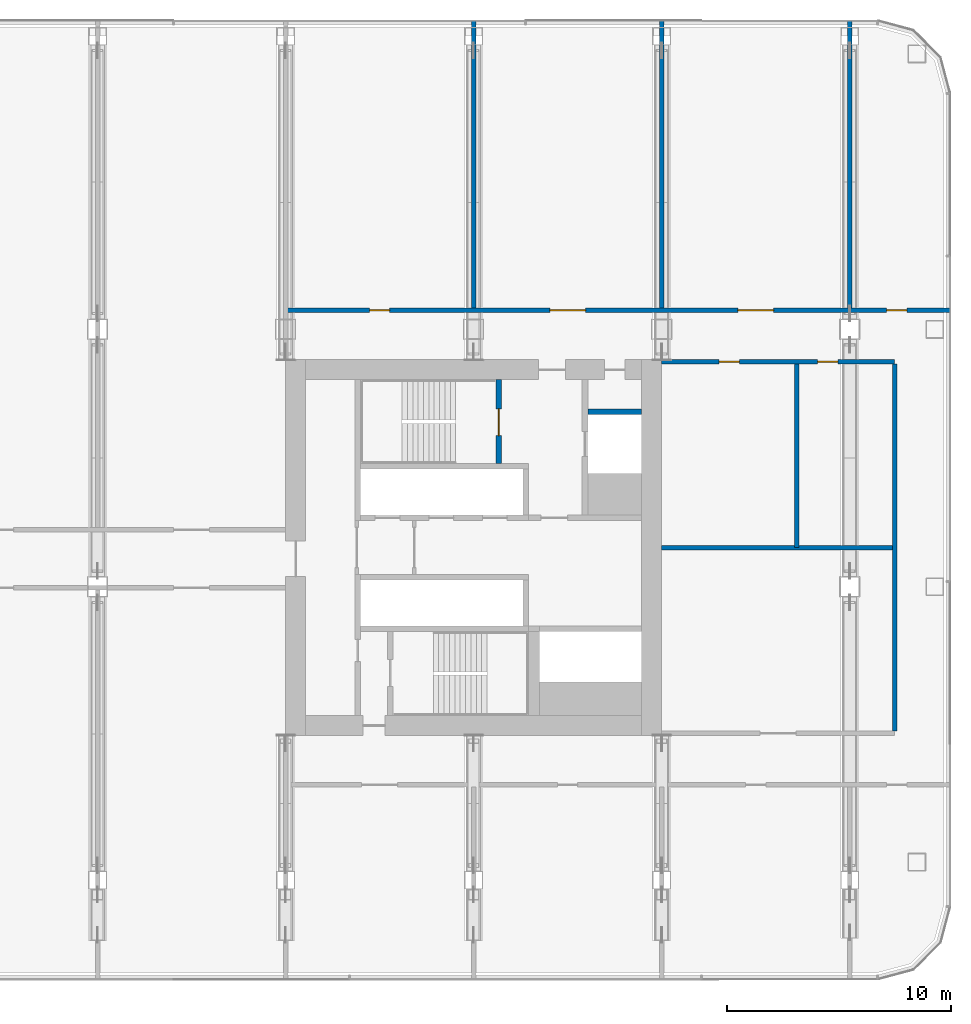
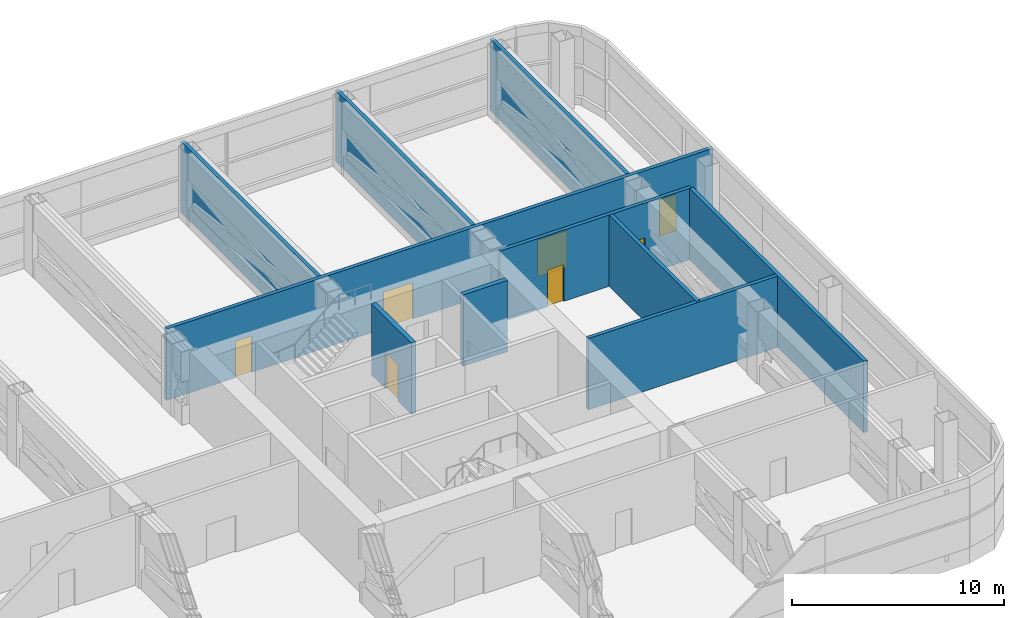
# One storey, part 21 of 31: 10 walls, 7 doors, 7 openings.
"""IFC4 building model written with IfcOpenShell, lengths in metres."""

from ifc_helpers import new_model, si_unit, direction, frame, frame_2d, origin, place, context, subcontext, project, spatial, rectangle, extrude, material, layer, layer_set, type_object, element, fill, save


model = new_model("IFC4")

# Units and contexts
model_context = context("Model", 3, precision=1e-05, world=origin(), true_north=direction((0.0, 1.0)))
body_context = subcontext(model_context, "Body", "Model", "MODEL_VIEW")
ifc_project = project(units=[si_unit("LENGTHUNIT", "METRE"), si_unit("AREAUNIT", "SQUARE_METRE"), si_unit("VOLUMEUNIT", "CUBIC_METRE"), si_unit("PLANEANGLEUNIT", "RADIAN"), si_unit("MASSUNIT", "GRAM", prefix="KILO")], contexts=[model_context])

# Site, building, storey
site_placement = place(None, origin())
site = spatial("IfcSite", under=ifc_project, at=site_placement, CompositionType="ELEMENT")
building_placement = place(site_placement, origin())
building = spatial("IfcBuilding", under=site, at=building_placement, Name="Hakoniwa Tower and Hamabe Station Hall", CompositionType="ELEMENT")
storey_placement = place(building_placement, frame((0.0, 0.0, 120.199951171875)))
storey = spatial("IfcBuildingStorey", under=building, at=storey_placement, Name="L34", CompositionType="ELEMENT", Elevation=120.199951171875)

# Wall, opening, door
ifc_material_1 = material(Name="Concrete C72", Category="concrete")
ifc_layer_1 = layer(ifc_material_1, 0.25)
ifc_layer_set_1 = layer_set([ifc_layer_1], Name="CORE WEB WALL 250 C72")
wall_type_1 = type_object("IfcWallType", Name="CORE WEB WALL 250 C72", PredefinedType="SHEAR", material=ifc_layer_set_1)
wall_1_placement = place(storey_placement, frame((26.324951171875, 3.75, 0.0), z_axis=(0.0, 0.0, 1.0), x_axis=(0.0, 1.0, 0.0)))
wall_1 = element("IfcWall", 1, at=wall_1_placement, inside=storey, type_object=wall_type_1, Name="Core wall NSE east", PredefinedType="SHEAR", context=body_context, shape_type="SweptSolid", body=[
    extrude(rectangle(XDim=3.75, YDim=0.25, at=frame_2d((1.875, 0.0))), origin(), (0.0, 0.0, 1.0), 4.10009765625),
])
opening_1_placement = place(wall_1_placement, frame((1.25, 0.0, 0.0)))
opening_1 = element("IfcOpeningElement", 2, at=opening_1_placement, cuts=wall_1, Name="Opening CD-E-SN-12", PredefinedType="OPENING", context=body_context, shape_type="SweptSolid", body=[
    extrude(rectangle(XDim=1.199951171875, YDim=2.10009765625, at=frame_2d((0.60009765625, 1.050048828125))), frame((0.0, 0.135009765625, 0.0), z_axis=(0.0, -1.0, 0.0), x_axis=(1.0, 0.0, 0.0)), (0.0, 0.0, 1.0), 0.27001953125),
])
ifc_material_2 = material(Name="Steel fire door", Category="steel")
door_type_1 = type_object("IfcDoorType", Name="CORE DOOR 1200 FD60", OperationType="DOUBLE_DOOR_SINGLE_SWING", PredefinedType="DOOR", material=ifc_material_2)
door_1_placement = place(opening_1_placement, origin())
door_1 = element("IfcDoor", 3, at=door_1_placement, inside=storey, type_object=door_type_1, Name="Escape stair door", OperationType="DOUBLE_DOOR_SINGLE_SWING", OverallHeight=2.10009765625, OverallWidth=1.199951171875, PredefinedType="DOOR", context=body_context, shape_type="SweptSolid", body=[
    extrude(rectangle(XDim=1.199951171875, YDim=2.10009765625, at=frame_2d((0.60009765625, 1.050048828125))), frame((0.0, 0.02490234375, 0.0), z_axis=(0.0, -1.0, 0.0), x_axis=(1.0, 0.0, 0.0)), (0.0, 0.0, 1.0), 0.050048828125),
])
fill(opening_1, door_1)

# Wall
wall_2_placement = place(storey_placement, frame((30.300048828125, 6.074951171875, 0.0), z_axis=(0.0, 0.0, 1.0), x_axis=(1.0, 0.0, 0.0)))
element("IfcWall", 4, at=wall_2_placement, inside=storey, type_object=wall_type_1, Name="Core wall C2 east", PredefinedType="SHEAR", context=body_context, shape_type="SweptSolid", body=[
    extrude(rectangle(XDim=2.39990234375, YDim=0.25, at=frame_2d((1.199951171875, 0.0))), origin(), (0.0, 0.0, 1.0), 4.10009765625),
])

# Wall, openings, doors
ifc_material_3 = material(Name="Fire-rated gypsum board partition", Category="gypsum")
ifc_layer_2 = layer(ifc_material_3, 0.199951171875)
ifc_layer_set_2 = layer_set([ifc_layer_2], Name="Corridor Wall 200")
wall_type_2 = type_object("IfcWallType", Name="Corridor Wall 200", PredefinedType="PARTITIONING", material=ifc_layer_set_2)
wall_3_placement = place(storey_placement, frame((33.60009765625, 8.300048828125, 0.0), z_axis=(0.0, 0.0, 1.0), x_axis=(1.0, 0.0, 0.0)))
wall_3 = element("IfcWall", 5, at=wall_3_placement, inside=storey, type_object=wall_type_2, Name="GW-L34-010", PredefinedType="PARTITIONING", context=body_context, shape_type="SweptSolid", body=[
    extrude(rectangle(XDim=10.39990234375, YDim=0.199951171875, at=frame_2d((5.199951171875, 0.0))), origin(), (0.0, 0.0, 1.0), 4.10009765625),
])
opening_2_placement = place(wall_3_placement, frame((2.56494140625, 0.0, 0.0)))
opening_2 = element("IfcOpeningElement", 6, at=opening_2_placement, cuts=wall_3, Name="Opening GD-SL34-20", PredefinedType="OPENING", context=body_context, shape_type="SweptSolid", body=[
    extrude(rectangle(XDim=0.89990234375, YDim=2.10009765625, at=frame_2d((0.449951171875, 1.050048828125))), frame((0.0, 0.10986328125, 0.0), z_axis=(0.0, -1.0, 0.0), x_axis=(1.0, 0.0, 0.0)), (0.0, 0.0, 1.0), 0.219970703125),
])
opening_3_placement = place(wall_3_placement, frame((6.965087890625, 0.0, 0.0)))
opening_3 = element("IfcOpeningElement", 7, at=opening_3_placement, cuts=wall_3, Name="Opening GD-SL34-21", PredefinedType="OPENING", context=body_context, shape_type="SweptSolid", body=[
    extrude(rectangle(XDim=0.89990234375, YDim=2.10009765625, at=frame_2d((0.449951171875, 1.050048828125))), frame((0.0, 0.10986328125, 0.0), z_axis=(0.0, -1.0, 0.0), x_axis=(1.0, 0.0, 0.0)), (0.0, 0.0, 1.0), 0.219970703125),
])
ifc_material_4 = material(Name="Timber door leaf", Category="wood")
door_type_2 = type_object("IfcDoorType", Name="Service Door 900", OperationType="SINGLE_SWING_LEFT", PredefinedType="DOOR", material=ifc_material_4)
door_2_placement = place(opening_2_placement, origin())
door_2 = element("IfcDoor", 8, at=door_2_placement, inside=storey, type_object=door_type_2, Name="Door GD-SL34-20", OperationType="SINGLE_SWING_RIGHT", OverallHeight=2.10009765625, OverallWidth=0.89990234375, PredefinedType="DOOR", context=body_context, shape_type="SweptSolid", body=[
    extrude(rectangle(XDim=0.89990234375, YDim=2.10009765625, at=frame_2d((0.449951171875, 1.050048828125))), frame((0.0, 0.02490234375, 0.0), z_axis=(0.0, -1.0, 0.0), x_axis=(1.0, 0.0, 0.0)), (0.0, 0.0, 1.0), 0.050048828125),
])
fill(opening_2, door_2)
door_3_placement = place(opening_3_placement, origin())
door_3 = element("IfcDoor", 9, at=door_3_placement, inside=storey, type_object=door_type_2, Name="Door GD-SL34-21", OperationType="SINGLE_SWING_LEFT", OverallHeight=2.10009765625, OverallWidth=0.89990234375, PredefinedType="DOOR", context=body_context, shape_type="SweptSolid", body=[
    extrude(rectangle(XDim=0.89990234375, YDim=2.10009765625, at=frame_2d((0.449951171875, 1.050048828125))), frame((0.0, 0.02490234375, 0.0), z_axis=(0.0, -1.0, 0.0), x_axis=(1.0, 0.0, 0.0)), (0.0, 0.0, 1.0), 0.050048828125),
])
fill(opening_3, door_3)

wall_4_placement = place(storey_placement, frame((16.800048828125, 10.60009765625, 0.0), z_axis=(0.0, 0.0, 1.0), x_axis=(1.0, 0.0, 0.0)))
wall_4 = element("IfcWall", 10, at=wall_4_placement, inside=storey, type_object=wall_type_2, Name="GW-L34-012", PredefinedType="PARTITIONING", context=body_context, shape_type="SweptSolid", body=[
    extrude(rectangle(XDim=29.699951171875, YDim=0.199951171875, at=frame_2d((14.85009765625, 0.0))), origin(), (0.0, 0.0, 1.0), 4.10009765625),
])
opening_4_placement = place(wall_4_placement, frame((3.75, 0.0, 0.0)))
opening_4 = element("IfcOpeningElement", 11, at=opening_4_placement, cuts=wall_4, Name="Opening GD-SL34-26", PredefinedType="OPENING", context=body_context, shape_type="SweptSolid", body=[
    extrude(rectangle(XDim=0.89990234375, YDim=2.10009765625, at=frame_2d((0.449951171875, 1.050048828125))), frame((0.0, 0.10986328125, 0.0), z_axis=(0.0, -1.0, 0.0), x_axis=(1.0, 0.0, 0.0)), (0.0, 0.0, 1.0), 0.219970703125),
])
opening_5_placement = place(wall_4_placement, frame((11.800048828125, 0.0, 0.0)))
opening_5 = element("IfcOpeningElement", 12, at=opening_5_placement, cuts=wall_4, Name="Opening GD-SL34-27", PredefinedType="OPENING", context=body_context, shape_type="SweptSolid", body=[
    extrude(rectangle(XDim=1.60009765625, YDim=2.10009765625, at=frame_2d((0.800048828125, 1.050048828125))), frame((0.0, 0.10986328125, 0.0), z_axis=(0.0, -1.0, 0.0), x_axis=(1.0, 0.0, 0.0)), (0.0, 0.0, 1.0), 0.219970703125),
])
opening_6_placement = place(wall_4_placement, frame((20.199951171875, 0.0, 0.0)))
opening_6 = element("IfcOpeningElement", 13, at=opening_6_placement, cuts=wall_4, Name="Opening GD-SL34-28", PredefinedType="OPENING", context=body_context, shape_type="SweptSolid", body=[
    extrude(rectangle(XDim=1.60009765625, YDim=2.10009765625, at=frame_2d((0.800048828125, 1.050048828125))), frame((0.0, 0.10986328125, 0.0), z_axis=(0.0, -1.0, 0.0), x_axis=(1.0, 0.0, 0.0)), (0.0, 0.0, 1.0), 0.219970703125),
])
opening_7_placement = place(wall_4_placement, frame((26.85009765625, 0.0, 0.0)))
opening_7 = element("IfcOpeningElement", 14, at=opening_7_placement, cuts=wall_4, Name="Opening GD-SL34-29", PredefinedType="OPENING", context=body_context, shape_type="SweptSolid", body=[
    extrude(rectangle(XDim=0.89990234375, YDim=2.10009765625, at=frame_2d((0.449951171875, 1.050048828125))), frame((0.0, 0.10986328125, 0.0), z_axis=(0.0, -1.0, 0.0), x_axis=(1.0, 0.0, 0.0)), (0.0, 0.0, 1.0), 0.219970703125),
])
ifc_material_5 = material(Name="Timber door leaf", Category="wood")
door_type_3 = type_object("IfcDoorType", Name="Double Door 1600", OperationType="DOUBLE_DOOR_SINGLE_SWING", PredefinedType="DOOR", material=ifc_material_5)
door_4_placement = place(opening_5_placement, origin())
door_4 = element("IfcDoor", 15, at=door_4_placement, inside=storey, type_object=door_type_3, Name="Door GD-SL34-27", OperationType="DOUBLE_DOOR_SINGLE_SWING", OverallHeight=2.10009765625, OverallWidth=1.60009765625, PredefinedType="DOOR", context=body_context, shape_type="SweptSolid", body=[
    extrude(rectangle(XDim=1.60009765625, YDim=2.10009765625, at=frame_2d((0.800048828125, 1.050048828125))), frame((0.0, 0.02490234375, 0.0), z_axis=(0.0, -1.0, 0.0), x_axis=(1.0, 0.0, 0.0)), (0.0, 0.0, 1.0), 0.050048828125),
])
fill(opening_5, door_4)
door_5_placement = place(opening_6_placement, origin())
door_5 = element("IfcDoor", 16, at=door_5_placement, inside=storey, type_object=door_type_3, Name="Door GD-SL34-28", OperationType="DOUBLE_DOOR_SINGLE_SWING", OverallHeight=2.10009765625, OverallWidth=1.60009765625, PredefinedType="DOOR", context=body_context, shape_type="SweptSolid", body=[
    extrude(rectangle(XDim=1.60009765625, YDim=2.10009765625, at=frame_2d((0.800048828125, 1.050048828125))), frame((0.0, 0.02490234375, 0.0), z_axis=(0.0, -1.0, 0.0), x_axis=(1.0, 0.0, 0.0)), (0.0, 0.0, 1.0), 0.050048828125),
])
fill(opening_6, door_5)
door_6_placement = place(opening_4_placement, origin())
door_6 = element("IfcDoor", 17, at=door_6_placement, inside=storey, type_object=door_type_2, Name="Door GD-SL34-26", OperationType="SINGLE_SWING_LEFT", OverallHeight=2.10009765625, OverallWidth=0.89990234375, PredefinedType="DOOR", context=body_context, shape_type="SweptSolid", body=[
    extrude(rectangle(XDim=0.89990234375, YDim=2.10009765625, at=frame_2d((0.449951171875, 1.050048828125))), frame((0.0, 0.02490234375, 0.0), z_axis=(0.0, -1.0, 0.0), x_axis=(1.0, 0.0, 0.0)), (0.0, 0.0, 1.0), 0.050048828125),
])
fill(opening_4, door_6)
door_7_placement = place(opening_7_placement, origin())
door_7 = element("IfcDoor", 18, at=door_7_placement, inside=storey, type_object=door_type_2, Name="Door GD-SL34-29", OperationType="SINGLE_SWING_RIGHT", OverallHeight=2.10009765625, OverallWidth=0.89990234375, PredefinedType="DOOR", context=body_context, shape_type="SweptSolid", body=[
    extrude(rectangle(XDim=0.89990234375, YDim=2.10009765625, at=frame_2d((0.449951171875, 1.050048828125))), frame((0.0, 0.02490234375, 0.0), z_axis=(0.0, -1.0, 0.0), x_axis=(1.0, 0.0, 0.0)), (0.0, 0.0, 1.0), 0.050048828125),
])
fill(opening_7, door_7)

# Walls
ifc_material_6 = material(Name="Fire-rated gypsum board partition", Category="gypsum")
ifc_layer_3 = layer(ifc_material_6, 0.199951171875)
ifc_layer_set_3 = layer_set([ifc_layer_3], Name="Party Wall 200")
wall_type_3 = type_object("IfcWallType", Name="Party Wall 200", PredefinedType="PARTITIONING", material=ifc_layer_set_3)
wall_5_placement = place(storey_placement, frame((33.60009765625, 0.0, 0.0), z_axis=(0.0, 0.0, 1.0), x_axis=(1.0, 0.0, 0.0)))
element("IfcWall", 19, at=wall_5_placement, inside=storey, type_object=wall_type_3, Name="GW-L34-007", PredefinedType="PARTITIONING", context=body_context, shape_type="SweptSolid", body=[
    extrude(rectangle(XDim=10.2998046875, YDim=0.199951171875, at=frame_2d((5.14990234375, 0.0))), origin(), (0.0, 0.0, 1.0), 4.10009765625),
])
for number, where, z_axis, x_axis, name in (
    (20, (25.199951171875, 10.699951171875, 0.0), (0.0, 0.0, 1.0), (0.0, 1.0, 0.0), "GW-L34-031"),
    (21, (33.60009765625, 10.699951171875, 0.0), (0.0, 0.0, 1.0), (0.0, 1.0, 0.0), "GW-L34-033"),
):
    element("IfcWall", number, at=place(storey_placement, frame(where, z_axis=z_axis, x_axis=x_axis)), inside=storey, type_object=wall_type_3, Name=name, PredefinedType="PARTITIONING", context=body_context, shape_type="SweptSolid", body=[
        extrude(rectangle(XDim=12.85009765625, YDim=0.199951171875, at=frame_2d((6.425048828125, 0.0))), origin(), (0.0, 0.0, 1.0), 4.10009765625),
    ])
wall_6_placement = place(storey_placement, frame((39.6298828125, 0.0, 0.0), z_axis=(0.0, 0.0, 1.0), x_axis=(0.0, 1.0, 0.0)))
element("IfcWall", 22, at=wall_6_placement, inside=storey, type_object=wall_type_3, Name="GW-L34-034", PredefinedType="PARTITIONING", context=body_context, shape_type="SweptSolid", body=[
    extrude(rectangle(XDim=8.199951171875, YDim=0.199951171875, at=frame_2d((4.10009765625, 0.0))), origin(), (0.0, 0.0, 1.0), 4.10009765625),
])
wall_7_placement = place(storey_placement, frame((42.0, 10.699951171875, 0.0), z_axis=(0.0, 0.0, 1.0), x_axis=(0.0, 1.0, 0.0)))
element("IfcWall", 23, at=wall_7_placement, inside=storey, type_object=wall_type_3, Name="GW-L34-036", PredefinedType="PARTITIONING", context=body_context, shape_type="SweptSolid", body=[
    extrude(rectangle(XDim=12.85009765625, YDim=0.199951171875, at=frame_2d((6.425048828125, 0.0))), origin(), (0.0, 0.0, 1.0), 4.10009765625),
])
wall_8_placement = place(storey_placement, frame((44.0, -8.199951171875, 0.0), z_axis=(0.0, 0.0, 1.0), x_axis=(0.0, 1.0, 0.0)))
element("IfcWall", 24, at=wall_8_placement, inside=storey, type_object=wall_type_3, Name="GW-L34-037", PredefinedType="PARTITIONING", context=body_context, shape_type="SweptSolid", body=[
    extrude(rectangle(XDim=16.39990234375, YDim=0.199951171875, at=frame_2d((8.199951171875, 0.0))), origin(), (0.0, 0.0, 1.0), 4.10009765625),
])

save(model, "model.ifc")
